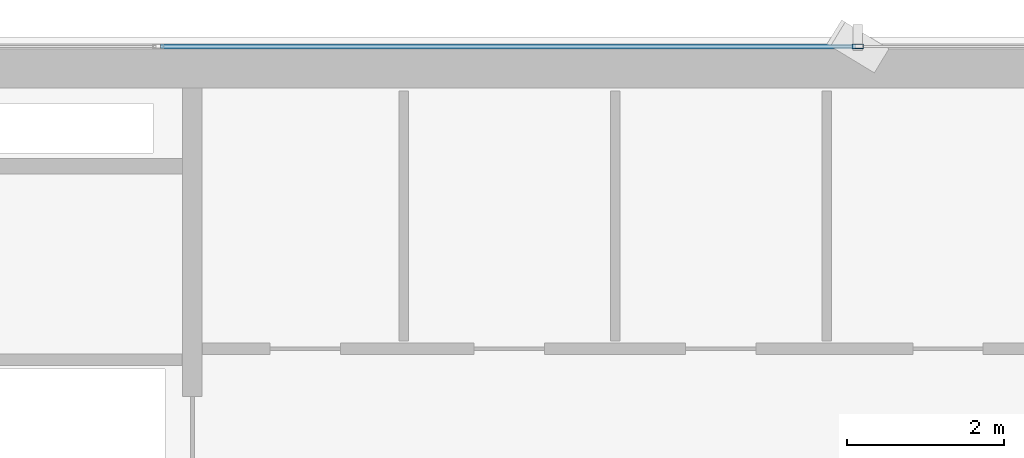
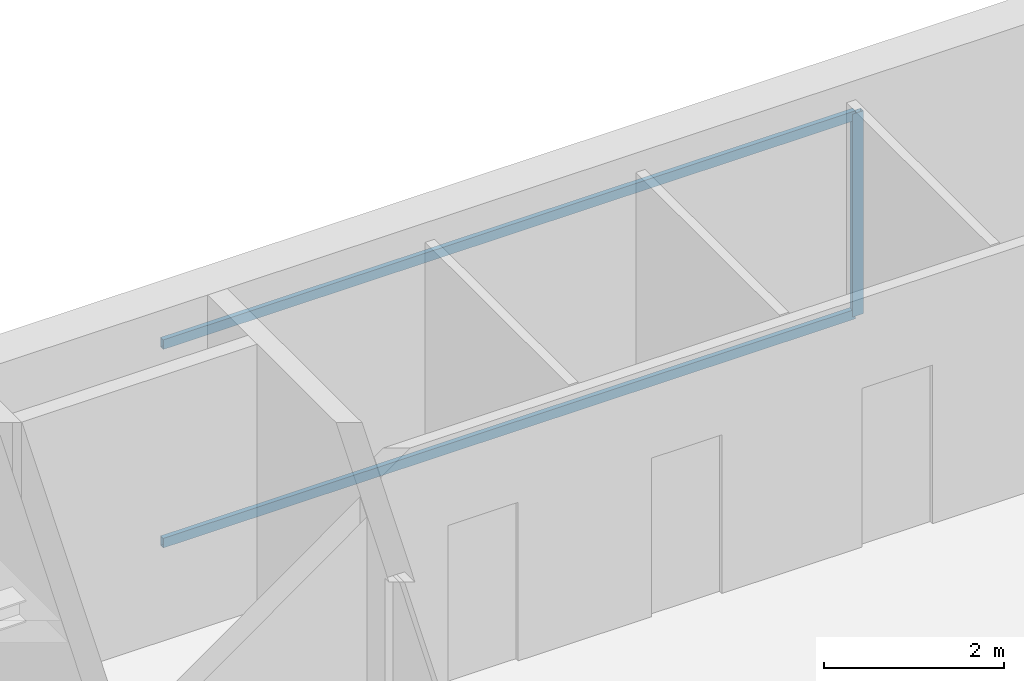
# One storey, part 16 of 26: 3 members, 1 element without a shape of its own.
"""IFC4 building model written with IfcOpenShell, lengths in metres."""

from ifc_helpers import new_model, si_unit, direction, frame, origin, origin_2d, place, context, subcontext, project, spatial, hollow_rectangle, extrude, source, transform, mapped, material, layer, layer_set, material_profile, profile_set, type_object, element, aggregate, save


model = new_model("IFC4")

# Units and contexts
model_context = context("Model", 3, precision=1e-05, world=origin(), true_north=direction((0.0, 1.0)))
body_context = subcontext(model_context, "Body", "Model", "MODEL_VIEW")
ifc_project = project(units=[si_unit("LENGTHUNIT", "METRE"), si_unit("AREAUNIT", "SQUARE_METRE"), si_unit("VOLUMEUNIT", "CUBIC_METRE"), si_unit("PLANEANGLEUNIT", "RADIAN"), si_unit("MASSUNIT", "GRAM", prefix="KILO")], contexts=[model_context])

# Site, building, storey
site_placement = place(None, origin())
site = spatial("IfcSite", under=ifc_project, at=site_placement, CompositionType="ELEMENT")
building_placement = place(site_placement, origin())
building = spatial("IfcBuilding", under=site, at=building_placement, Name="Sumidabori Civic Tower", CompositionType="ELEMENT")
storey_placement = place(building_placement, frame((0.0, 0.0, 254.0)))
storey = spatial("IfcBuildingStorey", under=building, at=storey_placement, Name="L66", CompositionType="ELEMENT", Elevation=254.0)

# Curtain wall, members
ifc_material = material(Name="Anodised Bronze Aluminium AW-6063-T6", Category="aluminium")
ifc_layer = layer(ifc_material, 0.179931640625, Name="Anodised Bronze Aluminium AW-6063-T6")
ifc_layer_set = layer_set([ifc_layer], Name="Anodised Bronze Aluminium AW-6063-T6")
curtain_wall_type = type_object("IfcCurtainWallType", Name="CW-SYS-5", PredefinedType="NOTDEFINED", material=ifc_layer_set)
curtain_wall_placement = place(storey_placement, origin())
curtain_wall = element("IfcCurtainWall", 1, at=curtain_wall_placement, inside=storey, type_object=curtain_wall_type, Name="Curtain Wall CW:L66:R07", PredefinedType="NOTDEFINED")
ifc_material_profile_1 = material_profile(ifc_material, hollow_rectangle(XDim=0.06005859375, YDim=0.139892578125, WallThickness=0.0048828125, at=origin_2d()), Name="ALU MULLION 140x60")
ifc_profile_set_1 = profile_set([ifc_material_profile_1], Name="Anodised Bronze Aluminium AW-6063-T6")
member_type_1 = type_object("IfcMemberType", Name="CW-MUL-140", PredefinedType="MULLION", material=ifc_profile_set_1)
shared_shape_1 = source(origin(), body_context, "Body", "SweptSolid", [
    extrude(hollow_rectangle(XDim=0.06005859375, YDim=0.139892578125, WallThickness=0.0048828125, at=origin_2d()), origin(), (0.0, 0.0, 1.0), 2.75),
])
member_1_placement = place(storey_placement, frame((0.0, 24.080078125, 0.0), z_axis=(0.0, 0.0, 1.0), x_axis=(0.0, -1.0, 0.0)))
member_1 = element("IfcMember", 2, at=member_1_placement, type_object=member_type_1, Name="CW-5 mullion 3", PredefinedType="MULLION", context=body_context, shape_type="MappedRepresentation", body=[
    mapped(shared_shape_1, transform((0.0, 0.0, 0.0), x_axis=(1.0, 0.0, 0.0), y_axis=(0.0, 1.0, 0.0), z_axis=(0.0, 0.0, 1.0), scale=1.0)),
])
ifc_material_profile_2 = material_profile(ifc_material, hollow_rectangle(XDim=0.06005859375, YDim=0.1298828125, WallThickness=0.0048828125, at=origin_2d()), Name="ALU TRANSOM 130x60")
ifc_profile_set_2 = profile_set([ifc_material_profile_2], Name="Anodised Bronze Aluminium AW-6063-T6")
member_type_2 = type_object("IfcMemberType", Name="CW-TRN-130", PredefinedType="USERDEFINED", material=ifc_profile_set_2)
shared_shape_2 = source(origin(), body_context, "Body", "SweptSolid", [
    extrude(hollow_rectangle(XDim=0.06005859375, YDim=0.1298828125, WallThickness=0.0048828125, at=origin_2d()), origin(), (0.0, 0.0, 1.0), 8.875),
])
member_2_placement = place(storey_placement, frame((-0.030029296875, 24.080078125, 0.030029296875), z_axis=(-1.0, 0.0, 0.0), x_axis=(0.0, -1.0, 0.0)))
member_2 = element("IfcMember", 3, at=member_2_placement, type_object=member_type_2, Name="CW-5 transom 3.1", ObjectType="TRANSOM", PredefinedType="USERDEFINED", context=body_context, shape_type="MappedRepresentation", body=[
    mapped(shared_shape_2, transform((0.0, 0.0, 0.0), x_axis=(1.0, 0.0, 0.0), y_axis=(0.0, 1.0, 0.0), z_axis=(0.0, 0.0, 1.0), scale=1.0)),
])
member_3_placement = place(storey_placement, frame((-0.030029296875, 24.080078125, 2.719970703125), z_axis=(-1.0, 0.0, 0.0), x_axis=(0.0, -1.0, 0.0)))
member_3 = element("IfcMember", 4, at=member_3_placement, type_object=member_type_2, Name="CW-5 transom 3.2", ObjectType="TRANSOM", PredefinedType="USERDEFINED", context=body_context, shape_type="MappedRepresentation", body=[
    mapped(shared_shape_2, transform((0.0, 0.0, 0.0), x_axis=(1.0, 0.0, 0.0), y_axis=(0.0, 1.0, 0.0), z_axis=(0.0, 0.0, 1.0), scale=1.0)),
])
aggregate(curtain_wall, [member_1, member_2, member_3])

save(model, "model.ifc")
